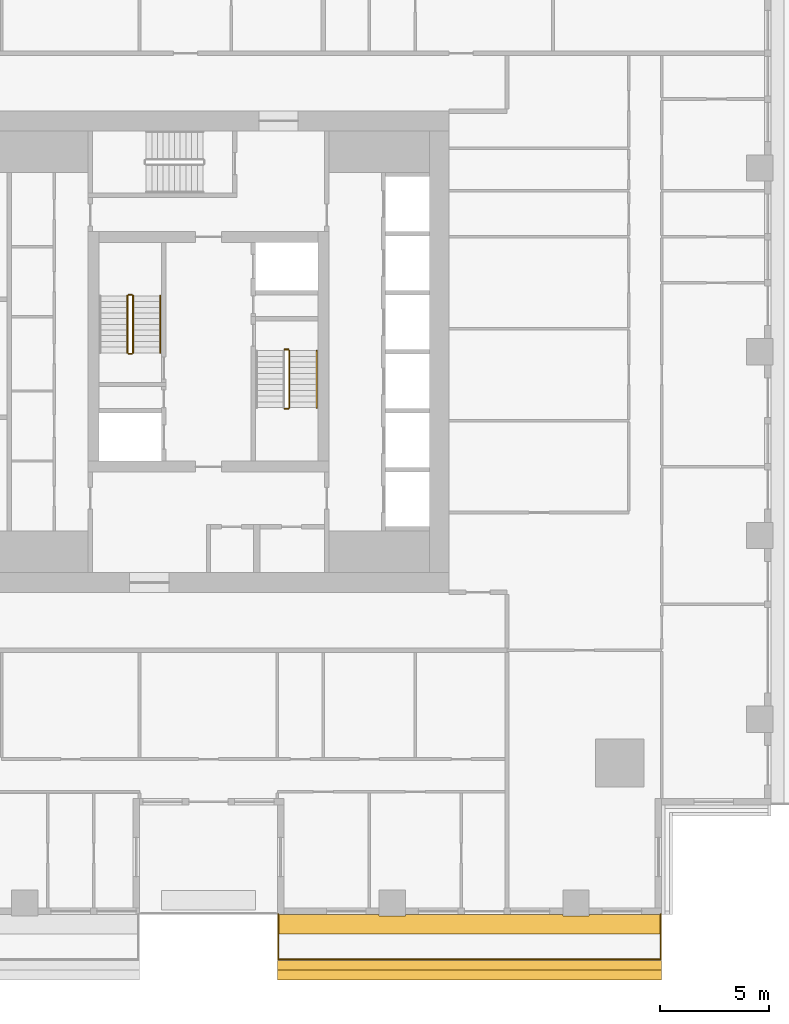
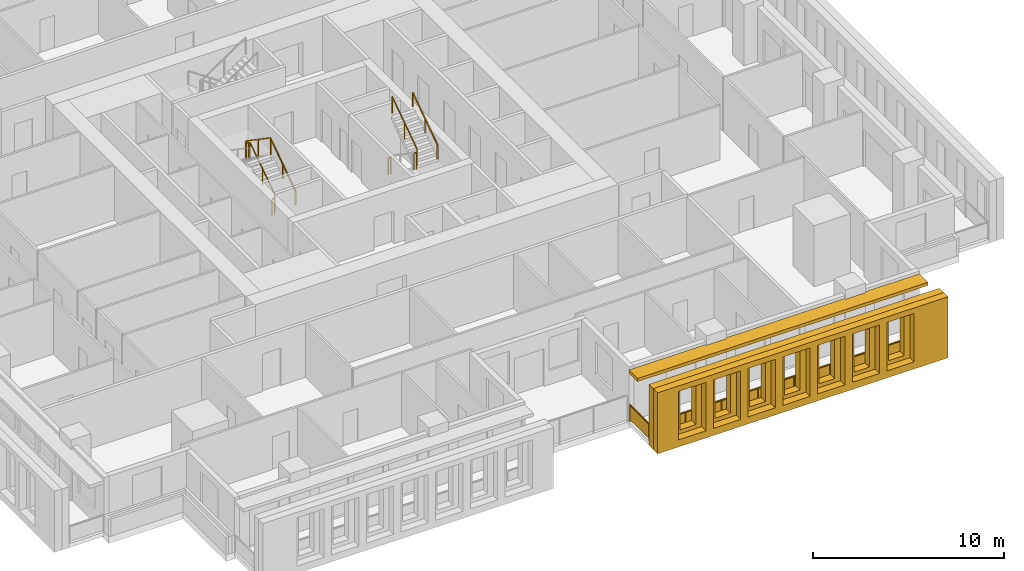
# One storey, part 13 of 16: 10 railings, 3 shading devices.
"""IFC4 building model written with IfcOpenShell, lengths in metres."""

import ifcopenshell
import ifcopenshell.guid

model = None  # the IFC model being written
_history = None  # IfcOwnerHistory: only IFC2X3 demands one
_inside = {}  # id of a spatial element -> (the spatial element, [elements in it])
_under = {}  # id of a project, library or spatial element -> (it, [spatial elements below it])
_declared = {}  # id of a project -> (the project, [libraries it declares])
_typed = {}  # id of a type object -> (the type object, [elements of that type])
_made_of = {}  # id of a material, layer set ... -> (it, [elements and type objects made of it])


def new_model(schema):
    """Start an empty IFC model of exactly this schema.

    Asked for "IFC4X3", IfcOpenShell would pick the latest addendum, in which some entities
    have other attributes; the version numbers below select the first issue.
    IFC2X3 requires an IfcOwnerHistory on every rooted entity: one is made here for all.
    """
    global model, _history
    if schema == "IFC4X3":
        model = ifcopenshell.file(schema_version=(4, 3, 0, 0))
    else:
        model = ifcopenshell.file(schema=schema)
    _inside.clear()
    _under.clear()
    _declared.clear()
    _typed.clear()
    _made_of.clear()
    _history = None
    if model.schema == "IFC2X3":
        org = make("IfcOrganization", Name="unknown")
        user = make(
            "IfcPersonAndOrganization",
            ThePerson=make("IfcPerson", FamilyName="unknown"),
            TheOrganization=org,
        )
        app = make(
            "IfcApplication",
            ApplicationDeveloper=org,
            Version="unknown",
            ApplicationFullName="unknown",
            ApplicationIdentifier="unknown",
        )
        _history = make(
            "IfcOwnerHistory",
            OwningUser=user,
            OwningApplication=app,
            ChangeAction="ADDED",
            CreationDate=0,
        )
    return model


def make(cls, **values):
    """One entity of the class cls with the attributes given. An attribute that is None is left unset."""
    return model.create_entity(
        cls, **{name: value for name, value in values.items() if value is not None}
    )


def rooted(cls, **values):
    """An entity with a GlobalId (a new one), such as an element, a storey or a relation."""
    return make(cls, GlobalId=ifcopenshell.guid.new(), OwnerHistory=_history, **values)


def si_unit(unit_type, name, prefix=None):
    """IfcSIUnit, for example si_unit("LENGTHUNIT", "METRE", prefix="MILLI")."""
    return make("IfcSIUnit", UnitType=unit_type, Prefix=prefix, Name=name)


def assignment(units):
    """IfcUnitAssignment: the units of a project."""
    return None if units is None else make("IfcUnitAssignment", Units=units)


def point(xyz):
    """IfcCartesianPoint."""
    return None if xyz is None else make("IfcCartesianPoint", Coordinates=xyz)


def direction(xyz):
    """IfcDirection."""
    return None if xyz is None else make("IfcDirection", DirectionRatios=xyz)


def frame(location, z_axis=None, x_axis=None):
    """IfcAxis2Placement3D, a coordinate frame: its origin and axes. An axis left out is left unset."""
    return make(
        "IfcAxis2Placement3D",
        Location=point(location),
        Axis=direction(z_axis),
        RefDirection=direction(x_axis),
    )


def frame_2d(location, x_axis=None):
    """IfcAxis2Placement2D, a coordinate frame in the plane: its origin and x axis."""
    return make(
        "IfcAxis2Placement2D", Location=point(location), RefDirection=direction(x_axis)
    )


def origin():
    """The frame at (0, 0, 0) with its axes left unset."""
    return frame((0.0, 0.0, 0.0))


def origin_2d():
    """The frame at (0, 0) in the plane with its x axis left unset."""
    return frame_2d((0.0, 0.0))


def place(relative_to, where):
    """IfcLocalPlacement: puts the frame where relative to a parent placement (None: the world)."""
    return make(
        "IfcLocalPlacement", PlacementRelTo=relative_to, RelativePlacement=where
    )


def context(
    kind, dimensions, precision=None, world=None, true_north=None, identifier=None
):
    """IfcGeometricRepresentationContext, for example the 3D "Model" context."""
    return make(
        "IfcGeometricRepresentationContext",
        ContextIdentifier=identifier,
        ContextType=kind,
        CoordinateSpaceDimension=dimensions,
        Precision=precision,
        WorldCoordinateSystem=world,
        TrueNorth=true_north,
    )


def subcontext(parent, identifier, kind, view, scale=None):
    """IfcGeometricRepresentationSubContext, for example "Body" below "Model"."""
    return make(
        "IfcGeometricRepresentationSubContext",
        ContextIdentifier=identifier,
        ContextType=kind,
        ParentContext=parent,
        TargetScale=scale,
        TargetView=view,
    )


def project(units=None, contexts=None):
    """IfcProject with its units and contexts."""
    return rooted(
        "IfcProject",
        Name="project",
        RepresentationContexts=contexts,
        UnitsInContext=assignment(units),
    )


def spatial(cls, under=None, at=None, **own):
    """A site, building, storey or space (cls), placed at a placement, below another one or the project."""
    s = rooted(cls, ObjectPlacement=at, **own)
    if under is not None:
        _under.setdefault(under.id(), (under, []))[1].append(s)
    return s


def polyline(points):
    """IfcPolyline through the points."""
    return make("IfcPolyline", Points=[point(p) for p in points])


def profile(cls, at=None, kind="AREA", **sizes):
    """A parametric profile (cls). Its sizes go by their IFC names, for example OverallWidth=200.0."""
    return make(cls, ProfileType=kind, Position=at, **sizes)


def rectangle(**sizes):
    """IfcRectangleProfileDef."""
    return profile("IfcRectangleProfileDef", **sizes)


def outline(outer, holes=None, kind="AREA"):
    """IfcArbitraryClosedProfileDef: a profile drawn as a closed curve; with holes, ...WithVoids."""
    if holes is None:
        return make("IfcArbitraryClosedProfileDef", ProfileType=kind, OuterCurve=outer)
    return make(
        "IfcArbitraryProfileDefWithVoids",
        ProfileType=kind,
        OuterCurve=outer,
        InnerCurves=holes,
    )


def extrude(swept, where, along, depth):
    """IfcExtrudedAreaSolid: the profile swept, set in the frame where, extruded along a direction by depth."""
    return make(
        "IfcExtrudedAreaSolid",
        SweptArea=swept,
        Position=where,
        ExtrudedDirection=direction(along),
        Depth=depth,
    )


def shape(context_of_items, identifier, shape_type, items):
    """IfcShapeRepresentation: the items that make up one representation, for example the "Body"."""
    return make(
        "IfcShapeRepresentation",
        ContextOfItems=context_of_items,
        RepresentationIdentifier=identifier,
        RepresentationType=shape_type,
        Items=items,
    )


def material(Name=None, Category=None):
    """IfcMaterial."""
    return make("IfcMaterial", Name=Name, Category=Category)


def layer(
    of_material, thickness, ventilated=None, Name=None, Category=None, Priority=None
):
    """IfcMaterialLayer: one layer of a wall or slab, of a material (None: an air gap)."""
    return make(
        "IfcMaterialLayer",
        Material=of_material,
        LayerThickness=thickness,
        IsVentilated=ventilated,
        Name=Name,
        Category=Category,
        Priority=Priority,
    )


def layer_set(layers, Name=None):
    """IfcMaterialLayerSet."""
    return make("IfcMaterialLayerSet", MaterialLayers=layers, LayerSetName=Name)


def made_of(thing, what):
    """Note that an element or type object is made of a material, layer set ...; save() writes the relation."""
    if what is not None:
        _made_of.setdefault(what.id(), (what, []))[1].append(thing)
    return thing


def type_object(cls, material=None, **own):
    """A type object (cls), such as IfcWallType, which elements share."""
    return made_of(rooted(cls, **own), material)


def element(
    cls,
    number,
    at=None,
    inside=None,
    cuts=None,
    type_object=None,
    material=None,
    context=None,
    identifier="Body",
    shape_type=None,
    held_by="IfcProductDefinitionShape",
    body=None,
    shapes=None,
    **own,
):
    """One element of the class cls, such as IfcWall. Its Tag is "e" and its number.

    at: its placement. inside: the storey or other place that contains it. cuts: it is an
    opening in that element (IfcRelVoidsElement). A single representation is given by context,
    identifier, shape_type and body (its items); several are given by shapes. held_by: the class
    of the entity that holds the representations. save() writes the other relations.
    """
    e = rooted(cls, Tag="e%d" % number, ObjectPlacement=at, **own)
    if body is not None:
        shapes = [shape(context, identifier, shape_type, body)]
    if shapes is not None:
        e.Representation = make(held_by, Representations=shapes)
    if inside is not None:
        _inside.setdefault(inside.id(), (inside, []))[1].append(e)
    if cuts is not None:
        rooted(
            "IfcRelVoidsElement", RelatingBuildingElement=cuts, RelatedOpeningElement=e
        )
    if type_object is not None:
        _typed.setdefault(type_object.id(), (type_object, []))[1].append(e)
    return made_of(e, material)


def aggregate(whole, parts):
    """IfcRelAggregates: a whole, such as a stair, and the parts it consists of."""
    return rooted("IfcRelAggregates", RelatingObject=whole, RelatedObjects=parts)


def save(model, path):
    """Write the relations noted so far, then the file.

    IfcRelAggregates (storeys below a building ...), IfcRelContainedInSpatialStructure (elements
    in a storey), IfcRelDefinesByType, IfcRelAssociatesMaterial and IfcRelDeclares: one each for
    every whole, place, type object, material and project.
    """
    for whole, parts in _under.values():
        aggregate(whole, parts)
    for where, things in _inside.values():
        rooted(
            "IfcRelContainedInSpatialStructure",
            RelatedElements=things,
            RelatingStructure=where,
        )
    for kind, things in _typed.values():
        rooted("IfcRelDefinesByType", RelatedObjects=things, RelatingType=kind)
    for what, things in _made_of.values():
        rooted("IfcRelAssociatesMaterial", RelatedObjects=things, RelatingMaterial=what)
    for by, libraries in _declared.values():
        rooted("IfcRelDeclares", RelatingContext=by, RelatedDefinitions=libraries)
    model.write(path)


model = new_model("IFC4")

# Units and contexts
model_context = context("Model", 3, precision=1e-05, world=origin(), true_north=direction((0.0, 1.0)))
body_context = subcontext(model_context, "Body", "Model", "MODEL_VIEW")
ifc_project = project(units=[si_unit("LENGTHUNIT", "METRE"), si_unit("AREAUNIT", "SQUARE_METRE"), si_unit("VOLUMEUNIT", "CUBIC_METRE"), si_unit("PLANEANGLEUNIT", "RADIAN"), si_unit("MASSUNIT", "GRAM", prefix="KILO")], contexts=[model_context])

# Site, building, storey
site_placement = place(None, origin())
site = spatial("IfcSite", under=ifc_project, at=site_placement, CompositionType="ELEMENT")
building_placement = place(site_placement, origin())
building = spatial("IfcBuilding", under=site, at=building_placement, Name="Khepri Terraces", CompositionType="ELEMENT")
storey_placement = place(building_placement, frame((0.0, 0.0, 240.60009765625)))
storey = spatial("IfcBuildingStorey", under=building, at=storey_placement, Name="L57", CompositionType="ELEMENT", Elevation=240.60009765625)

# Railings
ifc_material_1 = material(Name="Stainless steel grade 316", Category="steel")
railing_type_1 = type_object("IfcRailingType", Name="GRD-BAL-1100", PredefinedType="GUARDRAIL", material=ifc_material_1)
railing_1_placement = place(storey_placement, frame((3.199951171875, -25.719970703125, 0.0)))
element("IfcRailing", 1, at=railing_1_placement, inside=storey, type_object=railing_type_1, Name="Balcony guard L57 S", PredefinedType="GUARDRAIL", context=body_context, shape_type="SweptSolid", body=[
    extrude(rectangle(XDim=0.050048828125, YDim=0.06005859375, at=origin_2d()), frame((0.0, 0.0, 1.070068359375), z_axis=(0.0, -1.0, 0.0), x_axis=(1.0, 0.0, 0.0)), (0.0, 0.0, 1.0), 2.050048828125),
    extrude(rectangle(XDim=2.0, YDim=0.011962890625, at=origin_2d()), frame((0.0, -1.02490234375, 0.10009765625), z_axis=(0.0, 0.0, 1.0), x_axis=(0.0, -1.0, 0.0)), (0.0, 0.0, 1.0), 0.93994140625),
    extrude(rectangle(XDim=0.050048828125, YDim=0.06005859375, at=origin_2d()), frame((0.0, -2.050048828125, 1.070068359375), z_axis=(1.0, 0.0, 0.0), x_axis=(0.0, 1.0, 0.0)), (0.0, 0.0, 1.0), 17.469970703125),
    extrude(rectangle(XDim=2.1337890625, YDim=0.011962890625, at=origin_2d()), frame((1.091796875, -2.050048828125, 0.10009765625), z_axis=(0.0, 0.0, 1.0), x_axis=(1.0, 0.0, 0.0)), (0.0, 0.0, 1.0), 0.93994140625),
    extrude(rectangle(XDim=2.1337890625, YDim=0.011962890625, at=origin_2d()), frame((3.275634765625, -2.050048828125, 0.10009765625), z_axis=(0.0, 0.0, 1.0), x_axis=(1.0, 0.0, 0.0)), (0.0, 0.0, 1.0), 0.93994140625),
    extrude(rectangle(XDim=2.1337890625, YDim=0.011962890625, at=origin_2d()), frame((5.45947265625, -2.050048828125, 0.10009765625), z_axis=(0.0, 0.0, 1.0), x_axis=(1.0, 0.0, 0.0)), (0.0, 0.0, 1.0), 0.93994140625),
    extrude(rectangle(XDim=2.1337890625, YDim=0.011962890625, at=origin_2d()), frame((7.64306640625, -2.050048828125, 0.10009765625), z_axis=(0.0, 0.0, 1.0), x_axis=(1.0, 0.0, 0.0)), (0.0, 0.0, 1.0), 0.93994140625),
    extrude(rectangle(XDim=2.1337890625, YDim=0.011962890625, at=origin_2d()), frame((9.826904296875, -2.050048828125, 0.10009765625), z_axis=(0.0, 0.0, 1.0), x_axis=(1.0, 0.0, 0.0)), (0.0, 0.0, 1.0), 0.93994140625),
    extrude(rectangle(XDim=2.1337890625, YDim=0.011962890625, at=origin_2d()), frame((12.010498046875, -2.050048828125, 0.10009765625), z_axis=(0.0, 0.0, 1.0), x_axis=(1.0, 0.0, 0.0)), (0.0, 0.0, 1.0), 0.93994140625),
    extrude(rectangle(XDim=2.1337890625, YDim=0.011962890625, at=origin_2d()), frame((14.1943359375, -2.050048828125, 0.10009765625), z_axis=(0.0, 0.0, 1.0), x_axis=(1.0, 0.0, 0.0)), (0.0, 0.0, 1.0), 0.93994140625),
    extrude(rectangle(XDim=2.1337890625, YDim=0.011962890625, at=origin_2d()), frame((16.378173828125, -2.050048828125, 0.10009765625), z_axis=(0.0, 0.0, 1.0), x_axis=(1.0, 0.0, 0.0)), (0.0, 0.0, 1.0), 0.93994140625),
    extrude(rectangle(XDim=0.050048828125, YDim=0.06005859375, at=origin_2d()), frame((17.469970703125, -2.050048828125, 1.070068359375), z_axis=(0.0, 1.0, 0.0), x_axis=(-1.0, 0.0, 0.0)), (0.0, 0.0, 1.0), 2.050048828125),
    extrude(rectangle(XDim=2.0, YDim=0.011962890625, at=origin_2d()), frame((17.469970703125, -1.02490234375, 0.10009765625), z_axis=(0.0, 0.0, 1.0), x_axis=(0.0, 1.0, 0.0)), (0.0, 0.0, 1.0), 0.93994140625),
    extrude(rectangle(XDim=0.050048828125, YDim=0.050048828125, at=origin_2d()), origin(), (0.0, 0.0, 1.0), 1.0400390625),
    extrude(rectangle(XDim=0.050048828125, YDim=0.050048828125, at=origin_2d()), frame((0.0, -2.050048828125, 0.0)), (0.0, 0.0, 1.0), 1.0400390625),
    extrude(rectangle(XDim=0.050048828125, YDim=0.050048828125, at=origin_2d()), frame((2.183837890625, -2.050048828125, 0.0)), (0.0, 0.0, 1.0), 1.0400390625),
    extrude(rectangle(XDim=0.050048828125, YDim=0.050048828125, at=origin_2d()), frame((4.367431640625, -2.050048828125, 0.0)), (0.0, 0.0, 1.0), 1.0400390625),
    extrude(rectangle(XDim=0.050048828125, YDim=0.050048828125, at=origin_2d()), frame((6.55126953125, -2.050048828125, 0.0)), (0.0, 0.0, 1.0), 1.0400390625),
    extrude(rectangle(XDim=0.050048828125, YDim=0.050048828125, at=origin_2d()), frame((8.73486328125, -2.050048828125, 0.0)), (0.0, 0.0, 1.0), 1.0400390625),
    extrude(rectangle(XDim=0.050048828125, YDim=0.050048828125, at=origin_2d()), frame((10.918701171875, -2.050048828125, 0.0)), (0.0, 0.0, 1.0), 1.0400390625),
    extrude(rectangle(XDim=0.050048828125, YDim=0.050048828125, at=origin_2d()), frame((13.1025390625, -2.050048828125, 0.0)), (0.0, 0.0, 1.0), 1.0400390625),
    extrude(rectangle(XDim=0.050048828125, YDim=0.050048828125, at=origin_2d()), frame((15.2861328125, -2.050048828125, 0.0)), (0.0, 0.0, 1.0), 1.0400390625),
    extrude(rectangle(XDim=0.050048828125, YDim=0.050048828125, at=origin_2d()), frame((17.469970703125, -2.050048828125, 0.0)), (0.0, 0.0, 1.0), 1.0400390625),
    extrude(rectangle(XDim=0.050048828125, YDim=0.050048828125, at=origin_2d()), frame((17.469970703125, 0.0, 0.0)), (0.0, 0.0, 1.0), 1.0400390625),
])
ifc_material_2 = material(Name="Stainless steel 316", Category="steel")
railing_type_2 = type_object("IfcRailingType", Name="RL-CORE-GUARD", PredefinedType="GUARDRAIL", material=ifc_material_2)
railing_2_placement = place(storey_placement, frame((-3.449951171875, -0.050048828125, 0.17724609375)))
element("IfcRailing", 2, at=railing_2_placement, inside=storey, type_object=railing_type_2, Name="L57 ST-1 stair guard 1", PredefinedType="GUARDRAIL", context=body_context, shape_type="SweptSolid", body=[
    extrude(rectangle(XDim=0.050048828125, YDim=0.06005859375, at=origin_2d()), frame((0.0, 0.0, 1.070068359375), z_axis=(0.0, 0.826240473404, 0.563317565952), x_axis=(-1.0, 0.0, 0.0)), (0.0, 0.0, 1.0), 3.14697265625),
    extrude(rectangle(XDim=0.050048828125, YDim=0.050048828125, at=origin_2d()), origin(), (0.0, 0.0, 1.0), 1.0400390625),
    extrude(rectangle(XDim=0.050048828125, YDim=0.050048828125, at=origin_2d()), frame((0.0, 1.300048828125, 0.88623046875)), (0.0, 0.0, 1.0), 1.0400390625),
    extrude(rectangle(XDim=0.050048828125, YDim=0.050048828125, at=origin_2d()), frame((0.0, 2.60009765625, 1.772705078125)), (0.0, 0.0, 1.0), 1.0400390625),
])
railing_3_placement = place(storey_placement, frame((-3.5, 2.60009765625, 1.949951171875)))
element("IfcRailing", 3, at=railing_3_placement, inside=storey, type_object=railing_type_2, Name="L57 ST-1 stair guard 2", PredefinedType="GUARDRAIL", context=body_context, shape_type="SweptSolid", body=[
    extrude(rectangle(XDim=0.050048828125, YDim=0.06005859375, at=origin_2d()), frame((0.0, 0.0, 1.070068359375), z_axis=(-1.0, 0.0, 0.0), x_axis=(0.0, -1.0, 0.0)), (0.0, 0.0, 1.0), 0.14990234375),
    extrude(rectangle(XDim=0.050048828125, YDim=0.050048828125, at=origin_2d()), origin(), (0.0, 0.0, 1.0), 1.0400390625),
    extrude(rectangle(XDim=0.050048828125, YDim=0.050048828125, at=origin_2d()), frame((-0.14990234375, 0.0, 0.0)), (0.0, 0.0, 1.0), 1.0400390625),
])
railing_4_placement = place(storey_placement, frame((-3.699951171875, 2.550048828125, 2.127197265625)))
element("IfcRailing", 4, at=railing_4_placement, inside=storey, type_object=railing_type_2, Name="L57 ST-1 stair guard 3", PredefinedType="GUARDRAIL", context=body_context, shape_type="SweptSolid", body=[
    extrude(rectangle(XDim=0.050048828125, YDim=0.06005859375, at=origin_2d()), frame((0.0, 0.0, 1.070068359375), z_axis=(0.0, -0.826240473404, 0.563317565952), x_axis=(1.0, 0.0, 0.0)), (0.0, 0.0, 1.0), 3.14697265625),
    extrude(rectangle(XDim=0.050048828125, YDim=0.050048828125, at=origin_2d()), origin(), (0.0, 0.0, 1.0), 1.0400390625),
    extrude(rectangle(XDim=0.050048828125, YDim=0.050048828125, at=origin_2d()), frame((0.0, -1.300048828125, 0.88623046875)), (0.0, 0.0, 1.0), 1.0400390625),
    extrude(rectangle(XDim=0.050048828125, YDim=0.050048828125, at=origin_2d()), frame((0.0, -2.60009765625, 1.772705078125)), (0.0, 0.0, 1.0), 1.0400390625),
])
railing_5_placement = place(storey_placement, frame((-3.5, -0.10009765625, 0.0)))
element("IfcRailing", 5, at=railing_5_placement, inside=storey, type_object=railing_type_2, Name="L57 ST-1 stair guard 4", PredefinedType="GUARDRAIL", context=body_context, shape_type="SweptSolid", body=[
    extrude(rectangle(XDim=0.050048828125, YDim=0.06005859375, at=origin_2d()), frame((0.0, 0.0, 1.070068359375), z_axis=(-1.0, 0.0, 0.0), x_axis=(0.0, -1.0, 0.0)), (0.0, 0.0, 1.0), 0.14990234375),
    extrude(rectangle(XDim=0.050048828125, YDim=0.050048828125, at=origin_2d()), origin(), (0.0, 0.0, 1.0), 1.0400390625),
    extrude(rectangle(XDim=0.050048828125, YDim=0.050048828125, at=origin_2d()), frame((-0.14990234375, 0.0, 0.0)), (0.0, 0.0, 1.0), 1.0400390625),
])
railing_6_placement = place(storey_placement, frame((3.5, -2.60009765625, 1.949951171875)))
element("IfcRailing", 6, at=railing_6_placement, inside=storey, type_object=railing_type_2, Name="L57 ST-2 stair guard 2", PredefinedType="GUARDRAIL", context=body_context, shape_type="SweptSolid", body=[
    extrude(rectangle(XDim=0.050048828125, YDim=0.06005859375, at=origin_2d()), frame((0.0, 0.0, 1.070068359375), z_axis=(1.0, 0.0, 0.0), x_axis=(0.0, 1.0, 0.0)), (0.0, 0.0, 1.0), 0.14990234375),
    extrude(rectangle(XDim=0.050048828125, YDim=0.050048828125, at=origin_2d()), origin(), (0.0, 0.0, 1.0), 1.0400390625),
    extrude(rectangle(XDim=0.050048828125, YDim=0.050048828125, at=origin_2d()), frame((0.14990234375, 0.0, 0.0)), (0.0, 0.0, 1.0), 1.0400390625),
])
railing_7_placement = place(storey_placement, frame((3.699951171875, -2.550048828125, 2.127197265625)))
element("IfcRailing", 7, at=railing_7_placement, inside=storey, type_object=railing_type_2, Name="L57 ST-2 stair guard 3", PredefinedType="GUARDRAIL", context=body_context, shape_type="SweptSolid", body=[
    extrude(rectangle(XDim=0.050048828125, YDim=0.06005859375, at=origin_2d()), frame((0.0, 0.0, 1.070068359375), z_axis=(0.0, 0.826240473404, 0.563317565952), x_axis=(-1.0, 0.0, 0.0)), (0.0, 0.0, 1.0), 3.14697265625),
    extrude(rectangle(XDim=0.050048828125, YDim=0.050048828125, at=origin_2d()), origin(), (0.0, 0.0, 1.0), 1.0400390625),
    extrude(rectangle(XDim=0.050048828125, YDim=0.050048828125, at=origin_2d()), frame((0.0, 1.300048828125, 0.88623046875)), (0.0, 0.0, 1.0), 1.0400390625),
    extrude(rectangle(XDim=0.050048828125, YDim=0.050048828125, at=origin_2d()), frame((0.0, 2.60009765625, 1.772705078125)), (0.0, 0.0, 1.0), 1.0400390625),
])
railing_8_placement = place(storey_placement, frame((3.5, 0.10009765625, 0.0)))
element("IfcRailing", 8, at=railing_8_placement, inside=storey, type_object=railing_type_2, Name="L57 ST-2 stair guard 4", PredefinedType="GUARDRAIL", context=body_context, shape_type="SweptSolid", body=[
    extrude(rectangle(XDim=0.050048828125, YDim=0.06005859375, at=origin_2d()), frame((0.0, 0.0, 1.070068359375), z_axis=(1.0, 0.0, 0.0), x_axis=(0.0, 1.0, 0.0)), (0.0, 0.0, 1.0), 0.14990234375),
    extrude(rectangle(XDim=0.050048828125, YDim=0.050048828125, at=origin_2d()), origin(), (0.0, 0.0, 1.0), 1.0400390625),
    extrude(rectangle(XDim=0.050048828125, YDim=0.050048828125, at=origin_2d()), frame((0.14990234375, 0.0, 0.0)), (0.0, 0.0, 1.0), 1.0400390625),
])
railing_type_3 = type_object("IfcRailingType", Name="RL-CORE-HANDRAIL", PredefinedType="HANDRAIL", material=ifc_material_2)
for number, where, name in (
    (9, (-2.199951171875, -0.050048828125, 0.17724609375), "L57 ST-1 stair handrail 1"),
    (10, (4.949951171875, -2.550048828125, 2.127197265625), "L57 ST-2 stair handrail 2"),
):
    element("IfcRailing", number, at=place(storey_placement, frame(where)), inside=storey, type_object=railing_type_3, Name=name, PredefinedType="HANDRAIL", context=body_context, shape_type="SweptSolid", body=[
        extrude(rectangle(XDim=0.050048828125, YDim=0.050048828125, at=origin_2d()), frame((0.0, 0.0, 0.875), z_axis=(0.0, 0.826240473404, 0.563317565952), x_axis=(-1.0, 0.0, 0.0)), (0.0, 0.0, 1.0), 3.14697265625),
        extrude(rectangle(XDim=0.050048828125, YDim=0.050048828125, at=origin_2d()), origin(), (0.0, 0.0, 1.0), 0.849853515625),
        extrude(rectangle(XDim=0.050048828125, YDim=0.050048828125, at=origin_2d()), frame((0.0, 1.300048828125, 0.88623046875)), (0.0, 0.0, 1.0), 0.849853515625),
        extrude(rectangle(XDim=0.050048828125, YDim=0.050048828125, at=origin_2d()), frame((0.0, 2.60009765625, 1.772705078125)), (0.0, 0.0, 1.0), 0.849853515625),
    ])

# Shading devices
ifc_material_3 = material(Name="Precast concrete C50/60 warm stone", Category="masonry")
shading_device_type_1 = type_object("IfcShadingDeviceType", Name="SCR-CELL-INNER-450", PredefinedType="USERDEFINED", material=ifc_material_3)
shading_device_1_placement = place(storey_placement, frame((3.14990234375, -27.820068359375, -0.25), z_axis=(0.0, -1.0, 0.0), x_axis=(1.0, 0.0, 0.0)))
element("IfcShadingDevice", 11, at=shading_device_1_placement, inside=storey, type_object=shading_device_type_1, Name="Cell screen L57 S in", ObjectType="SCREEN", PredefinedType="USERDEFINED", context=body_context, shape_type="SweptSolid", body=[
    extrude(outline(polyline([(0.0, 0.0), (17.570068359375, 0.0), (17.570068359375, 3.89990234375), (0.0, 3.89990234375), (0.0, 0.0)]), holes=[polyline([(1.62744140625, 0.699951171875), (2.572509765625, 0.699951171875), (2.572509765625, 3.300048828125), (1.62744140625, 3.300048828125), (1.62744140625, 0.699951171875)]), polyline([(3.7275390625, 0.699951171875), (4.672607421875, 0.699951171875), (4.672607421875, 3.300048828125), (3.7275390625, 3.300048828125), (3.7275390625, 0.699951171875)]), polyline([(5.827392578125, 0.699951171875), (6.7724609375, 0.699951171875), (6.7724609375, 3.300048828125), (5.827392578125, 3.300048828125), (5.827392578125, 0.699951171875)]), polyline([(7.927490234375, 0.699951171875), (8.87255859375, 0.699951171875), (8.87255859375, 3.300048828125), (7.927490234375, 3.300048828125), (7.927490234375, 0.699951171875)]), polyline([(10.027587890625, 0.699951171875), (10.972412109375, 0.699951171875), (10.972412109375, 3.300048828125), (10.027587890625, 3.300048828125), (10.027587890625, 0.699951171875)]), polyline([(12.12744140625, 0.699951171875), (13.072509765625, 0.699951171875), (13.072509765625, 3.300048828125), (12.12744140625, 3.300048828125), (12.12744140625, 0.699951171875)]), polyline([(14.2275390625, 0.699951171875), (15.172607421875, 0.699951171875), (15.172607421875, 3.300048828125), (14.2275390625, 3.300048828125), (14.2275390625, 0.699951171875)]), polyline([(16.327392578125, 0.699951171875), (17.2724609375, 0.699951171875), (17.2724609375, 3.300048828125), (16.327392578125, 3.300048828125), (16.327392578125, 0.699951171875)])]), origin(), (0.0, 0.0, 1.0), 0.449951171875),
])
shading_device_type_2 = type_object("IfcShadingDeviceType", Name="SCR-CELL-OUTER-450", PredefinedType="USERDEFINED", material=ifc_material_3)
shading_device_2_placement = place(storey_placement, frame((3.14990234375, -28.27001953125, -0.25), z_axis=(0.0, -1.0, 0.0), x_axis=(1.0, 0.0, 0.0)))
element("IfcShadingDevice", 12, at=shading_device_2_placement, inside=storey, type_object=shading_device_type_2, Name="Cell screen L57 S out", ObjectType="SCREEN", PredefinedType="USERDEFINED", context=body_context, shape_type="SweptSolid", body=[
    extrude(outline(polyline([(0.0, 0.0), (17.570068359375, 0.0), (17.570068359375, 3.89990234375), (0.0, 3.89990234375), (0.0, 0.0)]), holes=[polyline([(1.277587890625, 0.449951171875), (2.922607421875, 0.449951171875), (2.922607421875, 3.550048828125), (1.277587890625, 3.550048828125), (1.277587890625, 0.449951171875)]), polyline([(3.37744140625, 0.449951171875), (5.0224609375, 0.449951171875), (5.0224609375, 3.550048828125), (3.37744140625, 3.550048828125), (3.37744140625, 0.449951171875)]), polyline([(5.4775390625, 0.449951171875), (7.12255859375, 0.449951171875), (7.12255859375, 3.550048828125), (5.4775390625, 3.550048828125), (5.4775390625, 0.449951171875)]), polyline([(7.577392578125, 0.449951171875), (9.222412109375, 0.449951171875), (9.222412109375, 3.550048828125), (7.577392578125, 3.550048828125), (7.577392578125, 0.449951171875)]), polyline([(9.677490234375, 0.449951171875), (11.322509765625, 0.449951171875), (11.322509765625, 3.550048828125), (9.677490234375, 3.550048828125), (9.677490234375, 0.449951171875)]), polyline([(11.777587890625, 0.449951171875), (13.422607421875, 0.449951171875), (13.422607421875, 3.550048828125), (11.777587890625, 3.550048828125), (11.777587890625, 0.449951171875)]), polyline([(13.87744140625, 0.449951171875), (15.5224609375, 0.449951171875), (15.5224609375, 3.550048828125), (13.87744140625, 3.550048828125), (13.87744140625, 0.449951171875)])]), origin(), (0.0, 0.0, 1.0), 0.449951171875),
])
ifc_layer = layer(ifc_material_3, 0.199951171875, Name="Precast concrete C50/60 warm stone", Category="masonry")
ifc_layer_set = layer_set([ifc_layer], Name="Precast concrete C50/60 warm stone")
shading_device_type_3 = type_object("IfcShadingDeviceType", Name="SSH-BAND-STONE-200", PredefinedType="USERDEFINED", material=ifc_layer_set)
shading_device_3_placement = place(storey_placement, frame((0.0, 0.0, 3.099853515625)))
element("IfcShadingDevice", 13, at=shading_device_3_placement, inside=storey, type_object=shading_device_type_3, Name="Sunshade band L57 S", ObjectType="SUNSHADE", PredefinedType="USERDEFINED", context=body_context, shape_type="SweptSolid", body=[
    extrude(outline(polyline([(7.800048828125, -25.719970703125), (3.14990234375, -25.719970703125), (3.14990234375, -26.6201171875), (20.719970703125, -26.6201171875), (20.719970703125, -25.719970703125), (17.39990234375, -25.719970703125), (17.39990234375, -25.800048828125), (16.199951171875, -25.800048828125), (16.199951171875, -25.719970703125), (9.0, -25.719970703125), (9.0, -25.800048828125), (7.800048828125, -25.800048828125), (7.800048828125, -25.719970703125)])), origin(), (0.0, 0.0, 1.0), 0.199951171875),
])

save(model, "model.ifc")
